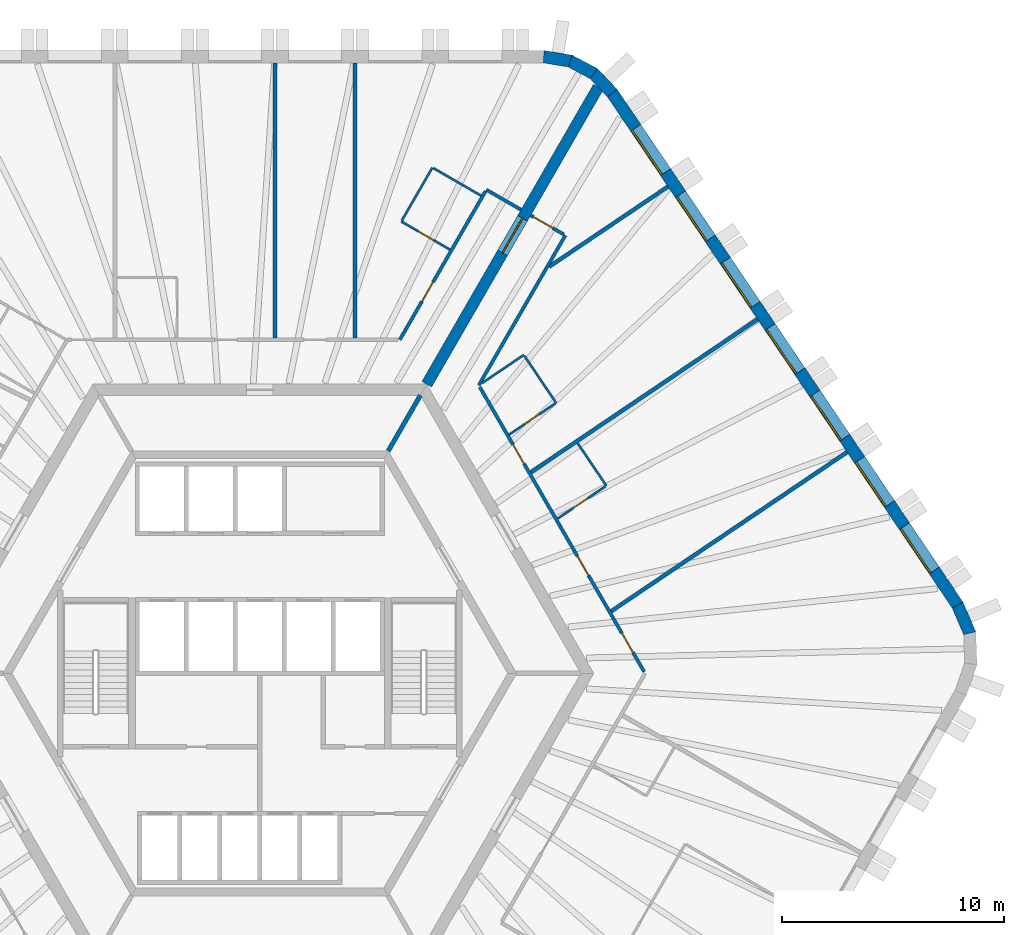
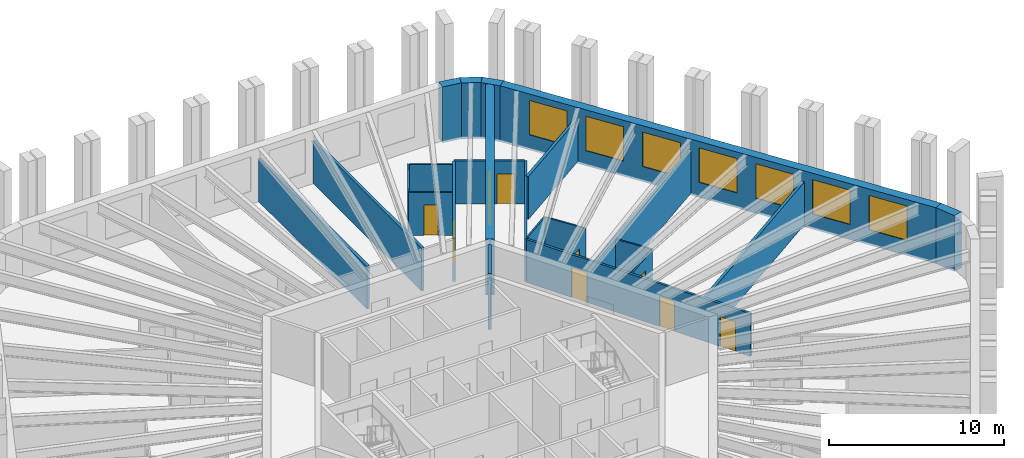
# One storey, part 9 of 11: 25 walls, 9 doors, 7 windows, 16 openings.
"""IFC4 building model written with IfcOpenShell, lengths in metres."""

from ifc_helpers import new_model, si_unit, direction, frame, frame_2d, origin, place, context, subcontext, project, spatial, polyline, rectangle, outline, extrude, material, layer, layer_set, type_object, element, fill, save


model = new_model("IFC4")

# Units and contexts
model_context = context("Model", 3, precision=1e-05, world=origin(), true_north=direction((0.0, 1.0)))
body_context = subcontext(model_context, "Body", "Model", "MODEL_VIEW")
ifc_project = project(units=[si_unit("LENGTHUNIT", "METRE"), si_unit("AREAUNIT", "SQUARE_METRE"), si_unit("VOLUMEUNIT", "CUBIC_METRE"), si_unit("PLANEANGLEUNIT", "RADIAN"), si_unit("MASSUNIT", "GRAM", prefix="KILO")], contexts=[model_context])

# Site, building, storey
site_placement = place(None, origin())
site = spatial("IfcSite", under=ifc_project, at=site_placement, CompositionType="ELEMENT")
building_placement = place(site_placement, origin())
building = spatial("IfcBuilding", under=site, at=building_placement, Name="Tarnside Tower", CompositionType="ELEMENT")
storey_placement = place(building_placement, frame((0.0, 0.0, 207.300048828125)))
storey = spatial("IfcBuildingStorey", under=building, at=storey_placement, Name="L49", CompositionType="ELEMENT", Elevation=207.300048828125)

# Wall, opening, door
ifc_material_1 = material(Name="Gypsum board partition on steel studs", Category="steel")
ifc_layer_1 = layer(ifc_material_1, 0.10009765625)
ifc_layer_set_1 = layer_set([ifc_layer_1], Name="Bathroom wall 100")
wall_type_1 = type_object("IfcWallType", Name="Bathroom wall 100", PredefinedType="PARTITIONING", material=ifc_layer_set_1)
wall_1_placement = place(storey_placement, frame((8.546142578125, 19.052490234375, 0.0), z_axis=(0.0, 0.0, 1.0), x_axis=(-0.866039067339, 0.499976333282, 0.0)))
wall_1 = element("IfcWall", 1, at=wall_1_placement, inside=storey, type_object=wall_type_1, Name="Bathroom wall 16051", PredefinedType="PARTITIONING", context=body_context, shape_type="SweptSolid", body=[
    extrude(rectangle(XDim=2.52490234375, YDim=0.10009765625, at=frame_2d((1.262451171875, 0.0))), origin(), (0.0, 0.0, 1.0), 2.98779296875),
])
opening_1_placement = place(wall_1_placement, frame((0.824951171875, 0.0, 0.0)))
opening_1 = element("IfcOpeningElement", 2, at=opening_1_placement, cuts=wall_1, Name="Opening D-B1", PredefinedType="OPENING", context=body_context, shape_type="SweptSolid", body=[
    extrude(rectangle(XDim=0.800048828125, YDim=2.10009765625, at=frame_2d((0.39990234375, 1.050048828125))), frame((0.0, 0.06005859375, 0.0), z_axis=(0.0, -1.0, 0.0), x_axis=(1.0, 0.0, 0.0)), (0.0, 0.0, 1.0), 0.1201171875),
])
ifc_material_2 = material(Name="Timber door leaf", Category="wood")
door_type_1 = type_object("IfcDoorType", Name="Bathroom door 800", OperationType="NOTDEFINED", PredefinedType="DOOR", material=ifc_material_2)
door_1_placement = place(opening_1_placement, origin())
door_1 = element("IfcDoor", 3, at=door_1_placement, inside=storey, type_object=door_type_1, Name="Bathroom door 16002", OperationType="SINGLE_SWING_RIGHT", OverallHeight=2.10009765625, OverallWidth=0.800048828125, PredefinedType="DOOR", context=body_context, shape_type="SweptSolid", body=[
    extrude(rectangle(XDim=0.800048828125, YDim=2.10009765625, at=frame_2d((0.39990234375, 1.050048828125))), frame((0.0, 0.02490234375, 0.0), z_axis=(0.0, -1.0, 0.0), x_axis=(1.0, 0.0, 0.0)), (0.0, 0.0, 1.0), 0.050048828125),
])
fill(opening_1, door_1)

# Walls
wall_2_placement = place(storey_placement, frame((6.384521484375, 20.358154296875, 0.0), z_axis=(0.0, 0.0, 1.0), x_axis=(0.499996545922, 0.866027397988, 0.0)))
element("IfcWall", 4, at=wall_2_placement, inside=storey, type_object=wall_type_1, Name="Bathroom wall 16052", PredefinedType="PARTITIONING", context=body_context, shape_type="SweptSolid", body=[
    extrude(rectangle(XDim=2.75, YDim=0.10009765625, at=frame_2d((1.375, 0.0))), origin(), (0.0, 0.0, 1.0), 2.98779296875),
])
wall_3_placement = place(storey_placement, frame((7.802734375, 22.71484375, 0.0), z_axis=(0.0, 0.0, 1.0), x_axis=(0.866006523861, -0.500032699561, 0.0)))
element("IfcWall", 5, at=wall_3_placement, inside=storey, type_object=wall_type_1, Name="Bathroom wall 16053", PredefinedType="PARTITIONING", context=body_context, shape_type="SweptSolid", body=[
    extrude(rectangle(XDim=2.474853515625, YDim=0.10009765625, at=frame_2d((1.2373046875, 0.0))), origin(), (0.0, 0.0, 1.0), 2.98779296875),
])
wall_4_placement = place(storey_placement, frame((14.287109375, 10.350830078125, 0.0), z_axis=(0.0, 0.0, 1.0), x_axis=(0.559204176839, -0.829029968461, 0.0)))
element("IfcWall", 6, at=wall_4_placement, inside=storey, type_object=wall_type_1, Name="Bathroom wall 16107", PredefinedType="PARTITIONING", context=body_context, shape_type="SweptSolid", body=[
    extrude(rectangle(XDim=2.31005859375, YDim=0.10009765625, at=frame_2d((1.155029296875, 0.0))), origin(), (0.0, 0.0, 1.0), 2.98779296875),
])

# Wall, opening, door
wall_5_placement = place(storey_placement, frame((15.537353515625, 8.40771484375, 0.0), z_axis=(0.0, 0.0, 1.0), x_axis=(-0.829051810631, -0.559171794076, 0.0)))
wall_5 = element("IfcWall", 7, at=wall_5_placement, inside=storey, type_object=wall_type_1, Name="Bathroom wall 16108", PredefinedType="PARTITIONING", context=body_context, shape_type="SweptSolid", body=[
    extrude(rectangle(XDim=2.5908203125, YDim=0.10009765625, at=frame_2d((1.29541015625, 0.0))), origin(), (0.0, 0.0, 1.0), 2.98779296875),
])
opening_2_placement = place(wall_5_placement, frame((0.949951171875, 0.0, 0.0)))
opening_2 = element("IfcOpeningElement", 8, at=opening_2_placement, cuts=wall_5, Name="Opening D-B1", PredefinedType="OPENING", context=body_context, shape_type="SweptSolid", body=[
    extrude(rectangle(XDim=0.800048828125, YDim=2.10009765625, at=frame_2d((0.39990234375, 1.050048828125))), frame((0.0, 0.06005859375, 0.0), z_axis=(0.0, -1.0, 0.0), x_axis=(1.0, 0.0, 0.0)), (0.0, 0.0, 1.0), 0.1201171875),
])
door_2_placement = place(opening_2_placement, origin())
door_2 = element("IfcDoor", 9, at=door_2_placement, inside=storey, type_object=door_type_1, Name="Bathroom door 16032", OperationType="SINGLE_SWING_LEFT", OverallHeight=2.10009765625, OverallWidth=0.800048828125, PredefinedType="DOOR", context=body_context, shape_type="SweptSolid", body=[
    extrude(rectangle(XDim=0.800048828125, YDim=2.10009765625, at=frame_2d((0.39990234375, 1.050048828125))), frame((0.0, 0.02490234375, 0.0), z_axis=(0.0, -1.0, 0.0), x_axis=(1.0, 0.0, 0.0)), (0.0, 0.0, 1.0), 0.050048828125),
])
fill(opening_2, door_2)

# Walls
wall_6_placement = place(storey_placement, frame((9.985595703125, 13.045654296875, 0.0), z_axis=(0.0, 0.0, 1.0), x_axis=(0.829043139518, 0.55918465002, 0.0)))
element("IfcWall", 10, at=wall_6_placement, inside=storey, type_object=wall_type_1, Name="Bathroom wall 16111", PredefinedType="PARTITIONING", context=body_context, shape_type="SweptSolid", body=[
    extrude(rectangle(XDim=2.269775390625, YDim=0.10009765625, at=frame_2d((1.134765625, 0.0))), origin(), (0.0, 0.0, 1.0), 2.98779296875),
])
wall_7_placement = place(storey_placement, frame((11.8955078125, 14.2734375, 0.0), z_axis=(0.0, 0.0, 1.0), x_axis=(0.559155442782, -0.829062838878, 0.0)))
element("IfcWall", 11, at=wall_7_placement, inside=storey, type_object=wall_type_1, Name="Bathroom wall 16112", PredefinedType="PARTITIONING", context=body_context, shape_type="SweptSolid", body=[
    extrude(rectangle(XDim=2.5498046875, YDim=0.10009765625, at=frame_2d((1.27490234375, 0.0))), origin(), (0.0, 0.0, 1.0), 2.98779296875),
])

# Wall, opening, door
wall_8_placement = place(storey_placement, frame((13.27978515625, 12.131591796875, 0.0), z_axis=(0.0, 0.0, 1.0), x_axis=(-0.829015218944, -0.559226042634, 0.0)))
wall_8 = element("IfcWall", 12, at=wall_8_placement, inside=storey, type_object=wall_type_1, Name="Bathroom wall 16113", PredefinedType="PARTITIONING", context=body_context, shape_type="SweptSolid", body=[
    extrude(rectangle(XDim=2.49755859375, YDim=0.10009765625, at=frame_2d((1.248779296875, 0.0))), origin(), (0.0, 0.0, 1.0), 2.98779296875),
])
opening_3_placement = place(wall_8_placement, frame((0.85009765625, 0.0, 0.0)))
opening_3 = element("IfcOpeningElement", 13, at=opening_3_placement, cuts=wall_8, Name="Opening D-B1", PredefinedType="OPENING", context=body_context, shape_type="SweptSolid", body=[
    extrude(rectangle(XDim=0.800048828125, YDim=2.10009765625, at=frame_2d((0.39990234375, 1.050048828125))), frame((0.0, 0.06005859375, 0.0), z_axis=(0.0, -1.0, 0.0), x_axis=(1.0, 0.0, 0.0)), (0.0, 0.0, 1.0), 0.1201171875),
])
door_3_placement = place(opening_3_placement, origin())
door_3 = element("IfcDoor", 14, at=door_3_placement, inside=storey, type_object=door_type_1, Name="Bathroom door 16034", OperationType="SINGLE_SWING_LEFT", OverallHeight=2.10009765625, OverallWidth=0.800048828125, PredefinedType="DOOR", context=body_context, shape_type="SweptSolid", body=[
    extrude(rectangle(XDim=0.800048828125, YDim=2.10009765625, at=frame_2d((0.39990234375, 1.050048828125))), frame((0.0, 0.02490234375, 0.0), z_axis=(0.0, -1.0, 0.0), x_axis=(1.0, 0.0, 0.0)), (0.0, 0.0, 1.0), 0.050048828125),
])
fill(opening_3, door_3)

ifc_material_3 = material(Name="Concrete C70/85", Category="concrete")
ifc_layer_2 = layer(ifc_material_3, 0.5)
ifc_layer_set_2 = layer_set([ifc_layer_2], Name="Core wall Z2 500 C70/85")
wall_type_2 = type_object("IfcWallType", Name="Core wall Z2 500 C70/85", PredefinedType="SHEAR", material=ifc_layer_set_2)
wall_9_placement = place(storey_placement, frame((7.505615234375, 13.0, -0.150146484375), z_axis=(0.0, 0.0, 1.0), x_axis=(0.499988271576, 0.866032175087, 0.0)))
wall_9 = element("IfcWall", 15, at=wall_9_placement, inside=storey, type_object=wall_type_2, Name="L49 spine wall 1", PredefinedType="SHEAR", context=body_context, shape_type="SweptSolid", body=[
    extrude(rectangle(XDim=15.423583984375, YDim=0.5, at=frame_2d((7.7119140625, 0.0))), origin(), (0.0, 0.0, 1.0), 3.900146484375),
])
opening_4_placement = place(wall_9_placement, frame((6.811767578125, 0.0, 0.14990234375)))
opening_4 = element("IfcOpeningElement", 16, at=opening_4_placement, cuts=wall_9, Name="Opening CD-SPN", PredefinedType="OPENING", context=body_context, shape_type="SweptSolid", body=[
    extrude(rectangle(XDim=1.800048828125, YDim=2.39990234375, at=frame_2d((0.89990234375, 1.199951171875))), frame((0.0, 0.260009765625, 0.0), z_axis=(0.0, -1.0, 0.0), x_axis=(1.0, 0.0, 0.0)), (0.0, 0.0, 1.0), 0.52001953125),
])
ifc_material_4 = material(Name="Steel fire door", Category="steel")
door_type_2 = type_object("IfcDoorType", Name="Spine passage double door FD60 1800x2400", OperationType="NOTDEFINED", PredefinedType="DOOR", material=ifc_material_4)
door_4_placement = place(opening_4_placement, origin())
door_4 = element("IfcDoor", 17, at=door_4_placement, inside=storey, type_object=door_type_2, Name="L49 spine passage door 1", OperationType="DOUBLE_DOOR_SINGLE_SWING", OverallHeight=2.39990234375, OverallWidth=1.800048828125, PredefinedType="DOOR", context=body_context, shape_type="SweptSolid", body=[
    extrude(rectangle(XDim=1.800048828125, YDim=2.39990234375, at=frame_2d((0.89990234375, 1.199951171875))), frame((0.0, 0.02490234375, 0.0), z_axis=(0.0, -1.0, 0.0), x_axis=(1.0, 0.0, 0.0)), (0.0, 0.0, 1.0), 0.050048828125),
])
fill(opening_4, door_4)

ifc_layer_3 = layer(ifc_material_1, 0.14990234375)
ifc_layer_set_3 = layer_set([ifc_layer_3], Name="Corridor wall 150 EI 60")
wall_type_3 = type_object("IfcWallType", Name="Corridor wall 150 EI 60", PredefinedType="PARTITIONING", material=ifc_layer_set_3)
wall_10_placement = place(storey_placement, frame((10.148681640625, 21.677978515625, 0.0), z_axis=(0.0, 0.0, 1.0), x_axis=(-0.499993780622, -0.866028994514, 0.0)))
wall_10 = element("IfcWall", 18, at=wall_10_placement, inside=storey, type_object=wall_type_3, Name="Corridor wall 16001", PredefinedType="PARTITIONING", context=body_context, shape_type="SweptSolid", body=[
    extrude(rectangle(XDim=7.7109375, YDim=0.14990234375, at=frame_2d((3.85546875, 0.0))), origin(), (0.0, 0.0, 1.0), 2.98779296875),
])
opening_5_placement = place(wall_10_placement, frame((4.718017578125, 0.0, 0.0)))
opening_5 = element("IfcOpeningElement", 19, at=opening_5_placement, cuts=wall_10, Name="Opening D-E1", PredefinedType="OPENING", context=body_context, shape_type="SweptSolid", body=[
    extrude(rectangle(XDim=1.0, YDim=2.10009765625, at=frame_2d((0.5, 1.050048828125))), frame((0.0, 0.0849609375, 0.0), z_axis=(0.0, -1.0, 0.0), x_axis=(1.0, 0.0, 0.0)), (0.0, 0.0, 1.0), 0.169921875),
])
door_type_3 = type_object("IfcDoorType", Name="Unit entrance door 1000 FD30S", OperationType="NOTDEFINED", PredefinedType="DOOR", material=ifc_material_2)
door_5_placement = place(opening_5_placement, origin())
door_5 = element("IfcDoor", 20, at=door_5_placement, inside=storey, type_object=door_type_3, Name="Unit door 16001", OperationType="SINGLE_SWING_LEFT", OverallHeight=2.10009765625, OverallWidth=1.0, PredefinedType="DOOR", context=body_context, shape_type="SweptSolid", body=[
    extrude(rectangle(XDim=1.0, YDim=2.10009765625, at=frame_2d((0.5, 1.050048828125))), frame((0.0, 0.02490234375, 0.0), z_axis=(0.0, -1.0, 0.0), x_axis=(1.0, 0.0, 0.0)), (0.0, 0.0, 1.0), 0.050048828125),
])
fill(opening_5, door_5)

# Wall
wall_11_placement = place(storey_placement, frame((11.744873046875, 20.8427734375, 0.0), z_axis=(0.0, 0.0, 1.0), x_axis=(-0.865989075817, 0.500062916607, 0.0)))
element("IfcWall", 21, at=wall_11_placement, inside=storey, type_object=wall_type_3, Name="Corridor wall 16003", PredefinedType="PARTITIONING", context=body_context, shape_type="SweptSolid", body=[
    extrude(rectangle(XDim=1.800048828125, YDim=0.14990234375, at=frame_2d((0.89990234375, 0.0))), origin(), (0.0, 0.0, 1.0), 2.98779296875),
])

# Wall, openings, doors
wall_12_placement = place(storey_placement, frame((17.277099609375, 0.074951171875, 0.0), z_axis=(0.0, 0.0, 1.0), x_axis=(-0.499988884089, 0.866031821464, 0.0)))
wall_12 = element("IfcWall", 22, at=wall_12_placement, inside=storey, type_object=wall_type_3, Name="Corridor wall 16043", PredefinedType="PARTITIONING", context=body_context, shape_type="SweptSolid", body=[
    extrude(rectangle(XDim=14.780029296875, YDim=0.14990234375, at=frame_2d((7.39013671875, 0.0))), origin(), (0.0, 0.0, 1.0), 2.98779296875),
])
opening_6_placement = place(wall_12_placement, frame((1.0009765625, 0.0, 0.0)))
opening_6 = element("IfcOpeningElement", 23, at=opening_6_placement, cuts=wall_12, Name="Opening D-E1", PredefinedType="OPENING", context=body_context, shape_type="SweptSolid", body=[
    extrude(rectangle(XDim=1.0, YDim=2.10009765625, at=frame_2d((0.5, 1.050048828125))), frame((0.0, 0.0849609375, 0.0), z_axis=(0.0, -1.0, 0.0), x_axis=(1.0, 0.0, 0.0)), (0.0, 0.0, 1.0), 0.169921875),
])
opening_7_placement = place(wall_12_placement, frame((5.00048828125, 0.0, 0.0)))
opening_7 = element("IfcOpeningElement", 24, at=opening_7_placement, cuts=wall_12, Name="Opening D-E1", PredefinedType="OPENING", context=body_context, shape_type="SweptSolid", body=[
    extrude(rectangle(XDim=1.0, YDim=2.10009765625, at=frame_2d((0.5, 1.050048828125))), frame((0.0, 0.0849609375, 0.0), z_axis=(0.0, -1.0, 0.0), x_axis=(1.0, 0.0, 0.0)), (0.0, 0.0, 1.0), 0.169921875),
])
opening_8_placement = place(wall_12_placement, frame((10.789794921875, 0.0, 0.0)))
opening_8 = element("IfcOpeningElement", 25, at=opening_8_placement, cuts=wall_12, Name="Opening D-E1", PredefinedType="OPENING", context=body_context, shape_type="SweptSolid", body=[
    extrude(rectangle(XDim=1.0, YDim=2.10009765625, at=frame_2d((0.5, 1.050048828125))), frame((0.0, 0.0849609375, 0.0), z_axis=(0.0, -1.0, 0.0), x_axis=(1.0, 0.0, 0.0)), (0.0, 0.0, 1.0), 0.169921875),
])
door_6_placement = place(opening_6_placement, origin())
door_6 = element("IfcDoor", 26, at=door_6_placement, inside=storey, type_object=door_type_3, Name="Unit door 16030", OperationType="SINGLE_SWING_RIGHT", OverallHeight=2.10009765625, OverallWidth=1.0, PredefinedType="DOOR", context=body_context, shape_type="SweptSolid", body=[
    extrude(rectangle(XDim=1.0, YDim=2.10009765625, at=frame_2d((0.5, 1.050048828125))), frame((0.0, 0.02490234375, 0.0), z_axis=(0.0, -1.0, 0.0), x_axis=(1.0, 0.0, 0.0)), (0.0, 0.0, 1.0), 0.050048828125),
])
fill(opening_6, door_6)
door_7_placement = place(opening_7_placement, origin())
door_7 = element("IfcDoor", 27, at=door_7_placement, inside=storey, type_object=door_type_3, Name="Unit door 16031", OperationType="SINGLE_SWING_LEFT", OverallHeight=2.10009765625, OverallWidth=1.0, PredefinedType="DOOR", context=body_context, shape_type="SweptSolid", body=[
    extrude(rectangle(XDim=1.0, YDim=2.10009765625, at=frame_2d((0.5, 1.050048828125))), frame((0.0, 0.02490234375, 0.0), z_axis=(0.0, -1.0, 0.0), x_axis=(1.0, 0.0, 0.0)), (0.0, 0.0, 1.0), 0.050048828125),
])
fill(opening_7, door_7)
door_8_placement = place(opening_8_placement, origin())
door_8 = element("IfcDoor", 28, at=door_8_placement, inside=storey, type_object=door_type_3, Name="Unit door 16033", OperationType="SINGLE_SWING_RIGHT", OverallHeight=2.10009765625, OverallWidth=1.0, PredefinedType="DOOR", context=body_context, shape_type="SweptSolid", body=[
    extrude(rectangle(XDim=1.0, YDim=2.10009765625, at=frame_2d((0.5, 1.050048828125))), frame((0.0, 0.02490234375, 0.0), z_axis=(0.0, -1.0, 0.0), x_axis=(1.0, 0.0, 0.0)), (0.0, 0.0, 1.0), 0.050048828125),
])
fill(opening_8, door_8)

# Wall
wall_13_placement = place(storey_placement, frame((9.84375, 12.949951171875, 0.0), z_axis=(0.0, 0.0, 1.0), x_axis=(0.500003831281, 0.866023191782, 0.0)))
element("IfcWall", 29, at=wall_13_placement, inside=storey, type_object=wall_type_3, Name="Corridor wall 16046", PredefinedType="PARTITIONING", context=body_context, shape_type="SweptSolid", body=[
    extrude(rectangle(XDim=7.7861328125, YDim=0.14990234375, at=frame_2d((3.89306640625, 0.0))), origin(), (0.0, 0.0, 1.0), 2.98779296875),
])

# Wall, opening, door
wall_14_placement = place(storey_placement, frame((13.671875, 19.73046875, 0.0), z_axis=(0.0, 0.0, 1.0), x_axis=(-0.866074815912, 0.499914405916, 0.0)))
wall_14 = element("IfcWall", 30, at=wall_14_placement, inside=storey, type_object=wall_type_3, Name="Corridor wall 16050", PredefinedType="PARTITIONING", context=body_context, shape_type="SweptSolid", body=[
    extrude(rectangle(XDim=1.724853515625, YDim=0.14990234375, at=frame_2d((0.8623046875, 0.0))), origin(), (0.0, 0.0, 1.0), 2.98779296875),
])
opening_9_placement = place(wall_14_placement, frame((0.574951171875, 0.0, 0.0)))
opening_9 = element("IfcOpeningElement", 31, at=opening_9_placement, cuts=wall_14, Name="Opening D-E1", PredefinedType="OPENING", context=body_context, shape_type="SweptSolid", body=[
    extrude(rectangle(XDim=1.0, YDim=2.10009765625, at=frame_2d((0.5, 1.050048828125))), frame((0.0, 0.0849609375, 0.0), z_axis=(0.0, -1.0, 0.0), x_axis=(1.0, 0.0, 0.0)), (0.0, 0.0, 1.0), 0.169921875),
])
door_9_placement = place(opening_9_placement, origin())
door_9 = element("IfcDoor", 32, at=door_9_placement, inside=storey, type_object=door_type_3, Name="Unit door 16035", OperationType="SINGLE_SWING_LEFT", OverallHeight=2.10009765625, OverallWidth=1.0, PredefinedType="DOOR", context=body_context, shape_type="SweptSolid", body=[
    extrude(rectangle(XDim=1.0, YDim=2.10009765625, at=frame_2d((0.5, 1.050048828125))), frame((0.0, 0.02490234375, 0.0), z_axis=(0.0, -1.0, 0.0), x_axis=(1.0, 0.0, 0.0)), (0.0, 0.0, 1.0), 0.050048828125),
])
fill(opening_9, door_9)

# Walls
ifc_layer_4 = layer(ifc_material_1, 0.179931640625)
ifc_layer_set_4 = layer_set([ifc_layer_4], Name="Demising wall 180 EI 60")
wall_type_4 = type_object("IfcWallType", Name="Demising wall 180 EI 60", PredefinedType="PARTITIONING", material=ifc_layer_set_4)
for number, where, z_axis, x_axis, name in (
    (33, (4.2822265625, 27.449951171875, 0.0), (0.0, 0.0, 1.0), (0.0, -1.0, 0.0), "Demising wall 16054"),
    (34, (0.68212890625, 27.449951171875, 0.0), (0.0, 0.0, 1.0), (0.0, -1.0, 0.0), "Demising wall 16055"),
):
    element("IfcWall", number, at=place(storey_placement, frame(where, z_axis=z_axis, x_axis=x_axis)), inside=storey, type_object=wall_type_4, Name=name, PredefinedType="PARTITIONING", context=body_context, shape_type="SweptSolid", body=[
        extrude(rectangle(XDim=12.375, YDim=0.179931640625, at=frame_2d((6.1875, 0.0))), origin(), (0.0, 0.0, 1.0), 2.98779296875),
    ])
wall_15_placement = place(storey_placement, frame((26.40185546875, 9.9462890625, 0.0), z_axis=(0.0, 0.0, 1.0), x_axis=(-0.829037771727, -0.559192608187, 0.0)))
element("IfcWall", 35, at=wall_15_placement, inside=storey, type_object=wall_type_4, Name="Demising wall 16106", PredefinedType="PARTITIONING", context=body_context, shape_type="SweptSolid", body=[
    extrude(rectangle(XDim=12.7939453125, YDim=0.179931640625, at=frame_2d((6.39697265625, 0.0))), origin(), (0.0, 0.0, 1.0), 2.98779296875),
])
wall_16_placement = place(storey_placement, frame((22.375732421875, 15.915283203125, 0.0), z_axis=(0.0, 0.0, 1.0), x_axis=(-0.829034008237, -0.559198187753, 0.0)))
element("IfcWall", 36, at=wall_16_placement, inside=storey, type_object=wall_type_4, Name="Demising wall 16109", PredefinedType="PARTITIONING", context=body_context, shape_type="SweptSolid", body=[
    extrude(rectangle(XDim=12.29052734375, YDim=0.179931640625, at=frame_2d((6.145263671875, 0.0))), origin(), (0.0, 0.0, 1.0), 2.98779296875),
])
wall_17_placement = place(storey_placement, frame((18.349609375, 21.88427734375, 0.0), z_axis=(0.0, 0.0, 1.0), x_axis=(-0.829047205772, -0.559178621374, 0.0)))
element("IfcWall", 37, at=wall_17_placement, inside=storey, type_object=wall_type_4, Name="Demising wall 16114", PredefinedType="PARTITIONING", context=body_context, shape_type="SweptSolid", body=[
    extrude(rectangle(XDim=6.442138671875, YDim=0.179931640625, at=frame_2d((3.22119140625, 0.0))), origin(), (0.0, 0.0, 1.0), 2.98779296875),
])
ifc_material_5 = material(Name="Concrete C40/50", Category="concrete")
ifc_layer_5 = layer(ifc_material_5, 0.199951171875)
ifc_layer_set_5 = layer_set([ifc_layer_5], Name="Lift shaft wall 200 C40/50")
wall_type_5 = type_object("IfcWallType", Name="Lift shaft wall 200 C40/50", PredefinedType="SHEAR", material=ifc_layer_set_5)
wall_18_placement = place(storey_placement, frame((5.7734375, 10.0, -0.150146484375), z_axis=(0.0, 0.0, 1.0), x_axis=(0.499995765644, 0.866027848477, 0.0)))
element("IfcWall", 38, at=wall_18_placement, inside=storey, type_object=wall_type_5, Name="L49 core partition AR60", PredefinedType="SHEAR", context=body_context, shape_type="SweptSolid", body=[
    extrude(rectangle(XDim=2.88671875, YDim=0.199951171875, at=frame_2d((1.443359375, 0.0))), origin(), (0.0, 0.0, 1.0), 3.900146484375),
])
ifc_material_6 = material(Name="Facing brick", Category="masonry")
ifc_layer_6 = layer(ifc_material_6, 0.10205078125)
ifc_material_7 = material(Name="Concrete C60/75 precast", Category="concrete")
ifc_layer_7 = layer(ifc_material_7, 0.347900390625)
ifc_material_8 = material(Name="Mineral wool insulation")
ifc_layer_8 = layer(ifc_material_8, 0.10009765625)
ifc_layer_set_6 = layer_set([ifc_layer_6, ifc_layer_7, ifc_layer_8], Name="Tube wall 550 brick faced")
wall_type_6 = type_object("IfcWallType", Name="Tube wall 550 brick faced", PredefinedType="SOLIDWALL", material=ifc_layer_set_6)
wall_19_placement = place(storey_placement, frame((31.91748046875, 1.804443359375, -0.150146484375), z_axis=(0.0, 0.0, 1.0), x_axis=(-0.396225741392, 0.918153125496, 0.0)))
element("IfcWall", 39, at=wall_19_placement, inside=storey, type_object=wall_type_6, Name="Tube wall L49 F5 chord 19", PredefinedType="SOLIDWALL", context=body_context, shape_type="SweptSolid", body=[
    extrude(outline(polyline([(-0.0517578125, -0.27490234375), (1.404541015625, -0.27490234375), (1.353271484375, 0.27490234375), (0.0517578125, 0.27490234375), (-0.0517578125, -0.27490234375)])), origin(), (0.0, 0.0, 1.0), 3.900146484375),
])

# Wall, openings, windows
wall_20_placement = place(storey_placement, frame((31.37109375, 3.070556640625, -0.150146484375), z_axis=(0.0, 0.0, 1.0), x_axis=(-0.559189891278, 0.829039604297, 0.0)))
wall_20 = element("IfcWall", 40, at=wall_20_placement, inside=storey, type_object=wall_type_6, Name="Tube wall L49 F6 flush 20", PredefinedType="SOLIDWALL", context=body_context, shape_type="SweptSolid", body=[
    extrude(outline(polyline([(-0.025634765625, -0.27490234375), (27.780517578125, -0.27490234375), (27.735595703125, 0.27490234375), (0.025634765625, 0.27490234375), (-0.025634765625, -0.27490234375)])), origin(), (0.0, 0.0, 1.0), 3.900146484375),
])
opening_10_placement = place(wall_20_placement, frame((1.87890625, 0.0, 1.050048828125)))
opening_10 = element("IfcOpeningElement", 41, at=opening_10_placement, cuts=wall_20, Name="Opening WH", PredefinedType="OPENING", context=body_context, shape_type="SweptSolid", body=[
    extrude(rectangle(XDim=2.39990234375, YDim=2.39990234375, at=frame_2d((1.199951171875, 1.199951171875))), frame((0.0, 0.28515625, 0.0), z_axis=(0.0, -1.0, 0.0), x_axis=(1.0, 0.0, 0.0)), (0.0, 0.0, 1.0), 0.570068359375),
])
opening_11_placement = place(wall_20_placement, frame((5.47900390625, 0.0, 1.050048828125)))
opening_11 = element("IfcOpeningElement", 42, at=opening_11_placement, cuts=wall_20, Name="Opening WH", PredefinedType="OPENING", context=body_context, shape_type="SweptSolid", body=[
    extrude(rectangle(XDim=2.39990234375, YDim=2.39990234375, at=frame_2d((1.199951171875, 1.199951171875))), frame((0.0, 0.28515625, 0.0), z_axis=(0.0, -1.0, 0.0), x_axis=(1.0, 0.0, 0.0)), (0.0, 0.0, 1.0), 0.570068359375),
])
opening_12_placement = place(wall_20_placement, frame((9.078857421875, 0.0, 1.050048828125)))
opening_12 = element("IfcOpeningElement", 43, at=opening_12_placement, cuts=wall_20, Name="Opening WH", PredefinedType="OPENING", context=body_context, shape_type="SweptSolid", body=[
    extrude(rectangle(XDim=2.39990234375, YDim=2.39990234375, at=frame_2d((1.199951171875, 1.199951171875))), frame((0.0, 0.28515625, 0.0), z_axis=(0.0, -1.0, 0.0), x_axis=(1.0, 0.0, 0.0)), (0.0, 0.0, 1.0), 0.570068359375),
])
opening_13_placement = place(wall_20_placement, frame((12.678955078125, 0.0, 1.050048828125)))
opening_13 = element("IfcOpeningElement", 44, at=opening_13_placement, cuts=wall_20, Name="Opening WH", PredefinedType="OPENING", context=body_context, shape_type="SweptSolid", body=[
    extrude(rectangle(XDim=2.39990234375, YDim=2.39990234375, at=frame_2d((1.199951171875, 1.199951171875))), frame((0.0, 0.28515625, 0.0), z_axis=(0.0, -1.0, 0.0), x_axis=(1.0, 0.0, 0.0)), (0.0, 0.0, 1.0), 0.570068359375),
])
opening_14_placement = place(wall_20_placement, frame((16.27880859375, 0.0, 1.050048828125)))
opening_14 = element("IfcOpeningElement", 45, at=opening_14_placement, cuts=wall_20, Name="Opening WH", PredefinedType="OPENING", context=body_context, shape_type="SweptSolid", body=[
    extrude(rectangle(XDim=2.39990234375, YDim=2.39990234375, at=frame_2d((1.199951171875, 1.199951171875))), frame((0.0, 0.28515625, 0.0), z_axis=(0.0, -1.0, 0.0), x_axis=(1.0, 0.0, 0.0)), (0.0, 0.0, 1.0), 0.570068359375),
])
opening_15_placement = place(wall_20_placement, frame((19.87890625, 0.0, 1.050048828125)))
opening_15 = element("IfcOpeningElement", 46, at=opening_15_placement, cuts=wall_20, Name="Opening WH", PredefinedType="OPENING", context=body_context, shape_type="SweptSolid", body=[
    extrude(rectangle(XDim=2.39990234375, YDim=2.39990234375, at=frame_2d((1.199951171875, 1.199951171875))), frame((0.0, 0.28515625, 0.0), z_axis=(0.0, -1.0, 0.0), x_axis=(1.0, 0.0, 0.0)), (0.0, 0.0, 1.0), 0.570068359375),
])
opening_16_placement = place(wall_20_placement, frame((23.47900390625, 0.0, 1.050048828125)))
opening_16 = element("IfcOpeningElement", 47, at=opening_16_placement, cuts=wall_20, Name="Opening WH", PredefinedType="OPENING", context=body_context, shape_type="SweptSolid", body=[
    extrude(rectangle(XDim=2.39990234375, YDim=2.39990234375, at=frame_2d((1.199951171875, 1.199951171875))), frame((0.0, 0.28515625, 0.0), z_axis=(0.0, -1.0, 0.0), x_axis=(1.0, 0.0, 0.0)), (0.0, 0.0, 1.0), 0.570068359375),
])
ifc_material_9 = material(Name="Aluminium-framed double glazing", Category="aluminium")
window_type = type_object("IfcWindowType", Name="Hotel window 2400 x 2400", PartitioningType="DOUBLE_PANEL_VERTICAL", PredefinedType="WINDOW", material=ifc_material_9)
window_1_placement = place(opening_10_placement, frame((0.0, 0.205078125, 0.0)))
window_1 = element("IfcWindow", 48, at=window_1_placement, inside=storey, type_object=window_type, Name="E.WN.L49.F6.00", OverallHeight=2.39990234375, OverallWidth=2.39990234375, PartitioningType="DOUBLE_PANEL_VERTICAL", PredefinedType="WINDOW", context=body_context, shape_type="SweptSolid", body=[
    extrude(rectangle(XDim=2.39990234375, YDim=2.39990234375, at=frame_2d((1.199951171875, 1.199951171875))), frame((0.0, 0.030029296875, 0.0), z_axis=(0.0, -1.0, 0.0), x_axis=(1.0, 0.0, 0.0)), (0.0, 0.0, 1.0), 0.06005859375),
])
fill(opening_10, window_1)
window_2_placement = place(opening_11_placement, frame((0.0, 0.205078125, 0.0)))
window_2 = element("IfcWindow", 49, at=window_2_placement, inside=storey, type_object=window_type, Name="E.WN.L49.F6.01", OverallHeight=2.39990234375, OverallWidth=2.39990234375, PartitioningType="DOUBLE_PANEL_VERTICAL", PredefinedType="WINDOW", context=body_context, shape_type="SweptSolid", body=[
    extrude(rectangle(XDim=2.39990234375, YDim=2.39990234375, at=frame_2d((1.199951171875, 1.199951171875))), frame((0.0, 0.030029296875, 0.0), z_axis=(0.0, -1.0, 0.0), x_axis=(1.0, 0.0, 0.0)), (0.0, 0.0, 1.0), 0.06005859375),
])
fill(opening_11, window_2)
window_3_placement = place(opening_12_placement, frame((0.0, 0.205078125, 0.0)))
window_3 = element("IfcWindow", 50, at=window_3_placement, inside=storey, type_object=window_type, Name="E.WN.L49.F6.02", OverallHeight=2.39990234375, OverallWidth=2.39990234375, PartitioningType="DOUBLE_PANEL_VERTICAL", PredefinedType="WINDOW", context=body_context, shape_type="SweptSolid", body=[
    extrude(rectangle(XDim=2.39990234375, YDim=2.39990234375, at=frame_2d((1.199951171875, 1.199951171875))), frame((0.0, 0.030029296875, 0.0), z_axis=(0.0, -1.0, 0.0), x_axis=(1.0, 0.0, 0.0)), (0.0, 0.0, 1.0), 0.06005859375),
])
fill(opening_12, window_3)
window_4_placement = place(opening_13_placement, frame((0.0, 0.205078125, 0.0)))
window_4 = element("IfcWindow", 51, at=window_4_placement, inside=storey, type_object=window_type, Name="E.WN.L49.F6.03", OverallHeight=2.39990234375, OverallWidth=2.39990234375, PartitioningType="DOUBLE_PANEL_VERTICAL", PredefinedType="WINDOW", context=body_context, shape_type="SweptSolid", body=[
    extrude(rectangle(XDim=2.39990234375, YDim=2.39990234375, at=frame_2d((1.199951171875, 1.199951171875))), frame((0.0, 0.030029296875, 0.0), z_axis=(0.0, -1.0, 0.0), x_axis=(1.0, 0.0, 0.0)), (0.0, 0.0, 1.0), 0.06005859375),
])
fill(opening_13, window_4)
window_5_placement = place(opening_14_placement, frame((0.0, 0.205078125, 0.0)))
window_5 = element("IfcWindow", 52, at=window_5_placement, inside=storey, type_object=window_type, Name="E.WN.L49.F6.04", OverallHeight=2.39990234375, OverallWidth=2.39990234375, PartitioningType="DOUBLE_PANEL_VERTICAL", PredefinedType="WINDOW", context=body_context, shape_type="SweptSolid", body=[
    extrude(rectangle(XDim=2.39990234375, YDim=2.39990234375, at=frame_2d((1.199951171875, 1.199951171875))), frame((0.0, 0.030029296875, 0.0), z_axis=(0.0, -1.0, 0.0), x_axis=(1.0, 0.0, 0.0)), (0.0, 0.0, 1.0), 0.06005859375),
])
fill(opening_14, window_5)
window_6_placement = place(opening_15_placement, frame((0.0, 0.205078125, 0.0)))
window_6 = element("IfcWindow", 53, at=window_6_placement, inside=storey, type_object=window_type, Name="E.WN.L49.F6.05", OverallHeight=2.39990234375, OverallWidth=2.39990234375, PartitioningType="DOUBLE_PANEL_VERTICAL", PredefinedType="WINDOW", context=body_context, shape_type="SweptSolid", body=[
    extrude(rectangle(XDim=2.39990234375, YDim=2.39990234375, at=frame_2d((1.199951171875, 1.199951171875))), frame((0.0, 0.030029296875, 0.0), z_axis=(0.0, -1.0, 0.0), x_axis=(1.0, 0.0, 0.0)), (0.0, 0.0, 1.0), 0.06005859375),
])
fill(opening_15, window_6)
window_7_placement = place(opening_16_placement, frame((0.0, 0.205078125, 0.0)))
window_7 = element("IfcWindow", 54, at=window_7_placement, inside=storey, type_object=window_type, Name="E.WN.L49.F6.06", OverallHeight=2.39990234375, OverallWidth=2.39990234375, PartitioningType="DOUBLE_PANEL_VERTICAL", PredefinedType="WINDOW", context=body_context, shape_type="SweptSolid", body=[
    extrude(rectangle(XDim=2.39990234375, YDim=2.39990234375, at=frame_2d((1.199951171875, 1.199951171875))), frame((0.0, 0.030029296875, 0.0), z_axis=(0.0, -1.0, 0.0), x_axis=(1.0, 0.0, 0.0)), (0.0, 0.0, 1.0), 0.06005859375),
])
fill(opening_16, window_7)

# Walls
wall_21_placement = place(storey_placement, frame((15.84912109375, 26.0830078125, -0.150146484375), z_axis=(0.0, 0.0, 1.0), x_axis=(-0.686196220404, 0.727416488061, 0.0)))
element("IfcWall", 55, at=wall_21_placement, inside=storey, type_object=wall_type_6, Name="Tube wall L49 F6 chord 21", PredefinedType="SOLIDWALL", context=body_context, shape_type="SweptSolid", body=[
    extrude(outline(polyline([(-0.0224609375, -0.27490234375), (1.25341796875, -0.27490234375), (1.1630859375, 0.27490234375), (0.0224609375, 0.27490234375), (-0.0224609375, -0.27490234375)])), origin(), (0.0, 0.0, 1.0), 3.900146484375),
])
wall_22_placement = place(storey_placement, frame((15.02001953125, 26.9619140625, -0.150146484375), z_axis=(0.0, 0.0, 1.0), x_axis=(-0.882950818639, 0.469465495926, 0.0)))
element("IfcWall", 56, at=wall_22_placement, inside=storey, type_object=wall_type_6, Name="Tube wall L49 F6 chord 22", PredefinedType="SOLIDWALL", context=body_context, shape_type="SweptSolid", body=[
    extrude(outline(polyline([(-0.045166015625, -0.27490234375), (1.253173828125, -0.27490234375), (1.162841796875, 0.27490234375), (0.045166015625, 0.27490234375), (-0.045166015625, -0.27490234375)])), origin(), (0.0, 0.0, 1.0), 3.900146484375),
])
wall_23_placement = place(storey_placement, frame((13.953369140625, 27.529052734375, -0.150146484375), z_axis=(0.0, 0.0, 1.0), x_axis=(-0.986751945211, 0.162236243244, 0.0)))
element("IfcWall", 57, at=wall_23_placement, inside=storey, type_object=wall_type_6, Name="Tube wall L49 F6 chord 23", PredefinedType="SOLIDWALL", context=body_context, shape_type="SweptSolid", body=[
    extrude(outline(polyline([(-0.045166015625, -0.27490234375), (1.23095703125, -0.27490234375), (1.18603515625, 0.27490234375), (0.045166015625, 0.27490234375), (-0.045166015625, -0.27490234375)])), origin(), (0.0, 0.0, 1.0), 3.900146484375),
])

save(model, "model.ifc")
